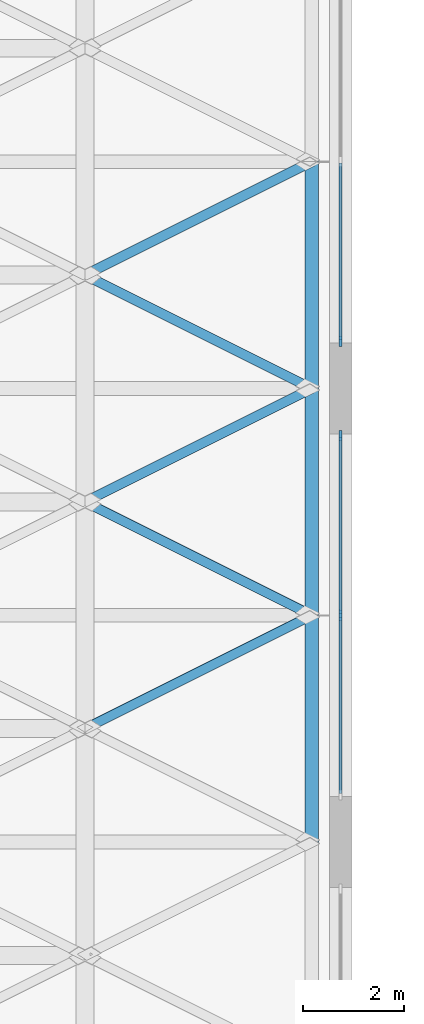
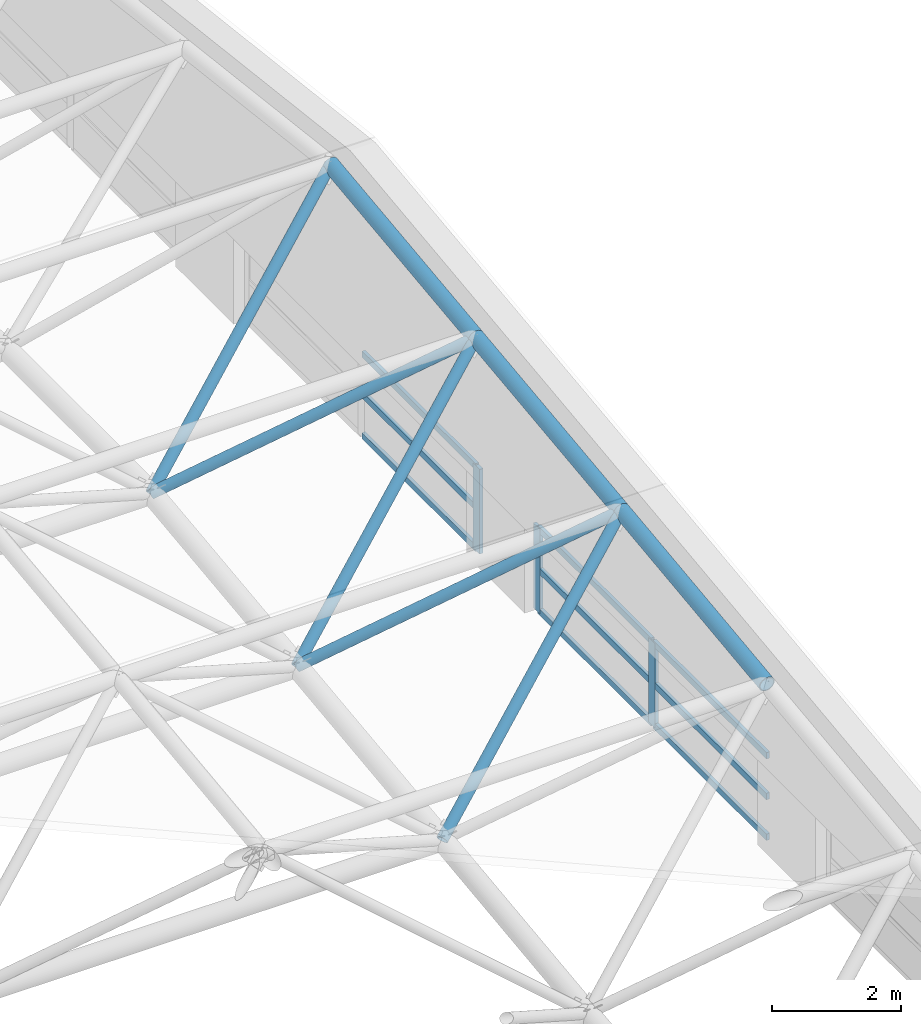
# One storey, part 16 of 53: 20 members, 2 elements without a shape of their own.
"""IFC4 building model written with IfcOpenShell, lengths in metres."""

from ifc_helpers import new_model, si_unit, direction, frame, origin, origin_2d, place, context, subcontext, project, spatial, rectangle, hollow_circle, extrude, material, material_profile, profile_set, type_object, element, aggregate, save


model = new_model("IFC4")

# Units and contexts
model_context = context("Model", 3, precision=1e-05, world=origin(), true_north=direction((0.0, 1.0)))
body_context = subcontext(model_context, "Body", "Model", "MODEL_VIEW")
ifc_project = project(units=[si_unit("LENGTHUNIT", "METRE"), si_unit("AREAUNIT", "SQUARE_METRE"), si_unit("VOLUMEUNIT", "CUBIC_METRE"), si_unit("PLANEANGLEUNIT", "RADIAN"), si_unit("MASSUNIT", "GRAM", prefix="KILO")], contexts=[model_context])

# Site, building, storey
site_placement = place(None, origin())
site = spatial("IfcSite", under=ifc_project, at=site_placement, CompositionType="ELEMENT")
building_placement = place(site_placement, origin())
building = spatial("IfcBuilding", under=site, at=building_placement, Name="Aravalli Gate Trade Fair Centre", CompositionType="ELEMENT")
storey_placement = place(building_placement, frame((0.0, 0.0, 25.199951171875)))
storey = spatial("IfcBuildingStorey", under=building, at=storey_placement, Name="ROOF LEVEL 2", CompositionType="ELEMENT", Elevation=25.199951171875)

# Members
ifc_material_1 = material(Name="Steel E350", Category="steel")
ifc_material_profile_1 = material_profile(ifc_material_1, hollow_circle(Radius=0.096923828125, WallThickness=0.00634765625, at=origin_2d()), Name="CHS 193.7x6.3")
ifc_profile_set_1 = profile_set([ifc_material_profile_1], Name="Steel E350")
member_type_1 = type_object("IfcMemberType", Name="CHS 193.7x6.3", PredefinedType="BRACE", material=ifc_profile_set_1)
member_1_placement = place(storey_placement, frame((105.0, 68.5, 4.25), z_axis=(-0.749609832162, -0.374804916081, -0.545533110277), x_axis=(0.4472135955, -0.894427191, 0.0)))
element("IfcMember", 1, at=member_1_placement, inside=storey, type_object=member_type_1, Name="Space frame web diagonal D2D", PredefinedType="BRACE", context=body_context, shape_type="SweptSolid", body=[
    extrude(hollow_circle(Radius=0.096923828125, WallThickness=0.00634765625, at=origin_2d()), origin(), (0.0, 0.0, 1.0), 6.003173828125),
])
for number, where, z_axis, x_axis, name in (
    (2, (105.0, 68.5, 4.25), (-0.786150117051, 0.393075058526, -0.476927658901), (-0.4472135955, -0.894427191, 0.0), "Space frame web diagonal D3B"),
    (3, (105.0, 73.0, 4.7900390625), (-0.786150117051, 0.393075058526, -0.476927658901), (-0.4472135955, -0.894427191, 0.0), "Space frame web diagonal D3B"),
):
    element("IfcMember", number, at=place(storey_placement, frame(where, z_axis=z_axis, x_axis=x_axis)), inside=storey, type_object=member_type_1, Name=name, PredefinedType="BRACE", context=body_context, shape_type="SweptSolid", body=[
        extrude(hollow_circle(Radius=0.096923828125, WallThickness=0.00634765625, at=origin_2d()), origin(), (0.0, 0.0, 1.0), 5.72412109375),
    ])
for number, where, z_axis, x_axis, name in (
    (4, (105.0, 73.0, 4.7900390625), (-0.74994242606, -0.37497121303, -0.544961417895), (0.4472135955, -0.894427191, 0.0), "Space frame web diagonal D3D"),
    (5, (105.0, 77.5, 5.330078125), (-0.74994242606, -0.37497121303, -0.544961417895), (0.4472135955, -0.894427191, 0.0), "Space frame web diagonal D3D"),
):
    element("IfcMember", number, at=place(storey_placement, frame(where, z_axis=z_axis, x_axis=x_axis)), inside=storey, type_object=member_type_1, Name=name, PredefinedType="BRACE", context=body_context, shape_type="SweptSolid", body=[
        extrude(hollow_circle(Radius=0.096923828125, WallThickness=0.00634765625, at=origin_2d()), origin(), (0.0, 0.0, 1.0), 6.00048828125),
    ])
ifc_material_profile_2 = material_profile(ifc_material_1, hollow_circle(Radius=0.136474609375, WallThickness=0.01611328125, at=origin_2d()), Name="CHS 273.1x16")
ifc_profile_set_2 = profile_set([ifc_material_profile_2], Name="Steel E350")
member_type_2 = type_object("IfcMemberType", Name="CHS 273.1x16", PredefinedType="CHORD", material=ifc_profile_set_2)
member_2_placement = place(storey_placement, frame((105.0, 64.0, 3.699951171875), z_axis=(0.0, 0.992612220818, 0.121330041965), x_axis=(-1.0, 0.0, 0.0)))
element("IfcMember", 6, at=member_2_placement, inside=storey, type_object=member_type_2, Name="Space frame edge chord at the end lines YE2", PredefinedType="CHORD", context=body_context, shape_type="SweptSolid", body=[
    extrude(hollow_circle(Radius=0.136474609375, WallThickness=0.01611328125, at=origin_2d()), origin(), (0.0, 0.0, 1.0), 4.533447265625),
])
for number, where, z_axis, x_axis, name in (
    (7, (105.0, 68.5, 4.25), (0.0, 0.992875818887, 0.11915371698), (-1.0, 0.0, 0.0), "Space frame edge chord at the end lines YE3"),
    (8, (105.0, 73.0, 4.7900390625), (0.0, 0.992875818887, 0.11915371698), (-1.0, 0.0, 0.0), "Space frame edge chord at the end lines YE3"),
):
    element("IfcMember", number, at=place(storey_placement, frame(where, z_axis=z_axis, x_axis=x_axis)), inside=storey, type_object=member_type_2, Name=name, PredefinedType="CHORD", context=body_context, shape_type="SweptSolid", body=[
        extrude(hollow_circle(Radius=0.136474609375, WallThickness=0.01611328125, at=origin_2d()), origin(), (0.0, 0.0, 1.0), 4.5322265625),
    ])

# Curtain wall, members
ifc_material_2 = material(Name="Aluminium, glass and louvre", Category="aluminium")
curtain_wall_type = type_object("IfcCurtainWallType", Name="Hall crown curtain wall 3000 module", PredefinedType="NOTDEFINED", material=ifc_material_2)
curtain_wall_1_placement = place(storey_placement, origin())
curtain_wall_1 = element("IfcCurtainWall", 9, at=curtain_wall_1_placement, inside=storey, type_object=curtain_wall_type, Name="Hall east crown curtain wall 3 ROOF LEVEL 2", PredefinedType="NOTDEFINED")
ifc_material_3 = material(Name="Aluminium", Category="aluminium")
ifc_material_profile_3 = material_profile(ifc_material_3, rectangle(XDim=0.06005859375, YDim=0.199951171875, at=origin_2d()), Name="Hall curtain wall mullion 60 x 200")
ifc_profile_set_3 = profile_set([ifc_material_profile_3], Name="Aluminium")
member_type_3 = type_object("IfcMemberType", Name="Hall curtain wall mullion 60 x 200", PredefinedType="MULLION", material=ifc_profile_set_3)
member_3_placement = place(storey_placement, frame((105.574951171875, 68.5, 0.0), z_axis=(0.0, 0.0, 1.0), x_axis=(-1.0, 0.0, 0.0)))
member_3 = element("IfcMember", 10, at=member_3_placement, type_object=member_type_3, Name="HCW1 mullion 2", PredefinedType="MULLION", context=body_context, shape_type="SweptSolid", body=[
    extrude(rectangle(XDim=0.06005859375, YDim=0.199951171875, at=origin_2d()), origin(), (0.0, 0.0, 1.0), 1.60009765625),
])
member_4_placement = place(storey_placement, frame((105.574951171875, 72.070068359375, 0.0), z_axis=(0.0, 0.0, 1.0), x_axis=(-1.0, 0.0, 0.0)))
member_4 = element("IfcMember", 11, at=member_4_placement, type_object=member_type_3, Name="HCW1 mullion 3", PredefinedType="MULLION", context=body_context, shape_type="SweptSolid", body=[
    extrude(rectangle(XDim=0.06005859375, YDim=0.199951171875, at=origin_2d()), origin(), (0.0, 0.0, 1.0), 1.60009765625),
])

# Curtain wall, member
curtain_wall_2_placement = place(storey_placement, origin())
curtain_wall_2 = element("IfcCurtainWall", 12, at=curtain_wall_2_placement, inside=storey, type_object=curtain_wall_type, Name="Hall east crown curtain wall 4 ROOF LEVEL 2", PredefinedType="NOTDEFINED")
member_5_placement = place(storey_placement, frame((105.574951171875, 73.929931640625, 0.0), z_axis=(0.0, 0.0, 1.0), x_axis=(-1.0, 0.0, 0.0)))
member_5 = element("IfcMember", 13, at=member_5_placement, type_object=member_type_3, Name="HCW1 mullion 1", PredefinedType="MULLION", context=body_context, shape_type="SweptSolid", body=[
    extrude(rectangle(XDim=0.06005859375, YDim=0.199951171875, at=origin_2d()), origin(), (0.0, 0.0, 1.0), 1.60009765625),
])

# Member
ifc_material_profile_4 = material_profile(ifc_material_3, rectangle(XDim=0.06005859375, YDim=0.1201171875, at=origin_2d()), Name="Hall curtain wall transom 60 x 120")
ifc_profile_set_4 = profile_set([ifc_material_profile_4], Name="Aluminium")
member_type_4 = type_object("IfcMemberType", Name="Hall curtain wall transom 60 x 120", PredefinedType="USERDEFINED", material=ifc_profile_set_4)
member_6_placement = place(storey_placement, frame((105.574951171875, 64.9599609375, 0.030029296875), z_axis=(0.0, 1.0, 0.0), x_axis=(-1.0, 0.0, 0.0)))
member_6 = element("IfcMember", 14, at=member_6_placement, type_object=member_type_4, Name="HCW1 transom 1.1", ObjectType="TRANSOM", PredefinedType="USERDEFINED", context=body_context, shape_type="SweptSolid", body=[
    extrude(rectangle(XDim=0.06005859375, YDim=0.1201171875, at=origin_2d()), origin(), (0.0, 0.0, 1.0), 3.510009765625),
])

member_7_placement = place(storey_placement, frame((105.574951171875, 64.9599609375, 0.800048828125), z_axis=(0.0, 1.0, 0.0), x_axis=(-1.0, 0.0, 0.0)))
member_7 = element("IfcMember", 15, at=member_7_placement, type_object=member_type_4, Name="HCW1 transom 1.2", ObjectType="TRANSOM", PredefinedType="USERDEFINED", context=body_context, shape_type="SweptSolid", body=[
    extrude(rectangle(XDim=0.06005859375, YDim=0.1201171875, at=origin_2d()), origin(), (0.0, 0.0, 1.0), 3.510009765625),
])

member_8_placement = place(storey_placement, frame((105.574951171875, 64.9599609375, 1.570068359375), z_axis=(0.0, 1.0, 0.0), x_axis=(-1.0, 0.0, 0.0)))
member_8 = element("IfcMember", 16, at=member_8_placement, type_object=member_type_4, Name="HCW1 transom 1.3", ObjectType="TRANSOM", PredefinedType="USERDEFINED", context=body_context, shape_type="SweptSolid", body=[
    extrude(rectangle(XDim=0.06005859375, YDim=0.1201171875, at=origin_2d()), origin(), (0.0, 0.0, 1.0), 3.510009765625),
])

member_9_placement = place(storey_placement, frame((105.574951171875, 68.530029296875, 0.030029296875), z_axis=(0.0, 1.0, 0.0), x_axis=(-1.0, 0.0, 0.0)))
member_9 = element("IfcMember", 17, at=member_9_placement, type_object=member_type_4, Name="HCW1 transom 2.1", ObjectType="TRANSOM", PredefinedType="USERDEFINED", context=body_context, shape_type="SweptSolid", body=[
    extrude(rectangle(XDim=0.06005859375, YDim=0.1201171875, at=origin_2d()), origin(), (0.0, 0.0, 1.0), 3.510009765625),
])

member_10_placement = place(storey_placement, frame((105.574951171875, 68.530029296875, 0.800048828125), z_axis=(0.0, 1.0, 0.0), x_axis=(-1.0, 0.0, 0.0)))
member_10 = element("IfcMember", 18, at=member_10_placement, type_object=member_type_4, Name="HCW1 transom 2.2", ObjectType="TRANSOM", PredefinedType="USERDEFINED", context=body_context, shape_type="SweptSolid", body=[
    extrude(rectangle(XDim=0.06005859375, YDim=0.1201171875, at=origin_2d()), origin(), (0.0, 0.0, 1.0), 3.510009765625),
])

member_11_placement = place(storey_placement, frame((105.574951171875, 68.530029296875, 1.570068359375), z_axis=(0.0, 1.0, 0.0), x_axis=(-1.0, 0.0, 0.0)))
member_11 = element("IfcMember", 19, at=member_11_placement, type_object=member_type_4, Name="HCW1 transom 2.3", ObjectType="TRANSOM", PredefinedType="USERDEFINED", context=body_context, shape_type="SweptSolid", body=[
    extrude(rectangle(XDim=0.06005859375, YDim=0.1201171875, at=origin_2d()), origin(), (0.0, 0.0, 1.0), 3.510009765625),
])

aggregate(curtain_wall_1, [member_3, member_4, member_6, member_7, member_8, member_9, member_10, member_11])

member_12_placement = place(storey_placement, frame((105.574951171875, 73.9599609375, 0.030029296875), z_axis=(0.0, 1.0, 0.0), x_axis=(-1.0, 0.0, 0.0)))
member_12 = element("IfcMember", 20, at=member_12_placement, type_object=member_type_4, Name="HCW1 transom 1.1", ObjectType="TRANSOM", PredefinedType="USERDEFINED", context=body_context, shape_type="SweptSolid", body=[
    extrude(rectangle(XDim=0.06005859375, YDim=0.1201171875, at=origin_2d()), origin(), (0.0, 0.0, 1.0), 3.510009765625),
])

member_13_placement = place(storey_placement, frame((105.574951171875, 73.9599609375, 0.800048828125), z_axis=(0.0, 1.0, 0.0), x_axis=(-1.0, 0.0, 0.0)))
member_13 = element("IfcMember", 21, at=member_13_placement, type_object=member_type_4, Name="HCW1 transom 1.2", ObjectType="TRANSOM", PredefinedType="USERDEFINED", context=body_context, shape_type="SweptSolid", body=[
    extrude(rectangle(XDim=0.06005859375, YDim=0.1201171875, at=origin_2d()), origin(), (0.0, 0.0, 1.0), 3.510009765625),
])

member_14_placement = place(storey_placement, frame((105.574951171875, 73.9599609375, 1.570068359375), z_axis=(0.0, 1.0, 0.0), x_axis=(-1.0, 0.0, 0.0)))
member_14 = element("IfcMember", 22, at=member_14_placement, type_object=member_type_4, Name="HCW1 transom 1.3", ObjectType="TRANSOM", PredefinedType="USERDEFINED", context=body_context, shape_type="SweptSolid", body=[
    extrude(rectangle(XDim=0.06005859375, YDim=0.1201171875, at=origin_2d()), origin(), (0.0, 0.0, 1.0), 3.510009765625),
])

aggregate(curtain_wall_2, [member_5, member_12, member_13, member_14])

save(model, "model.ifc")
